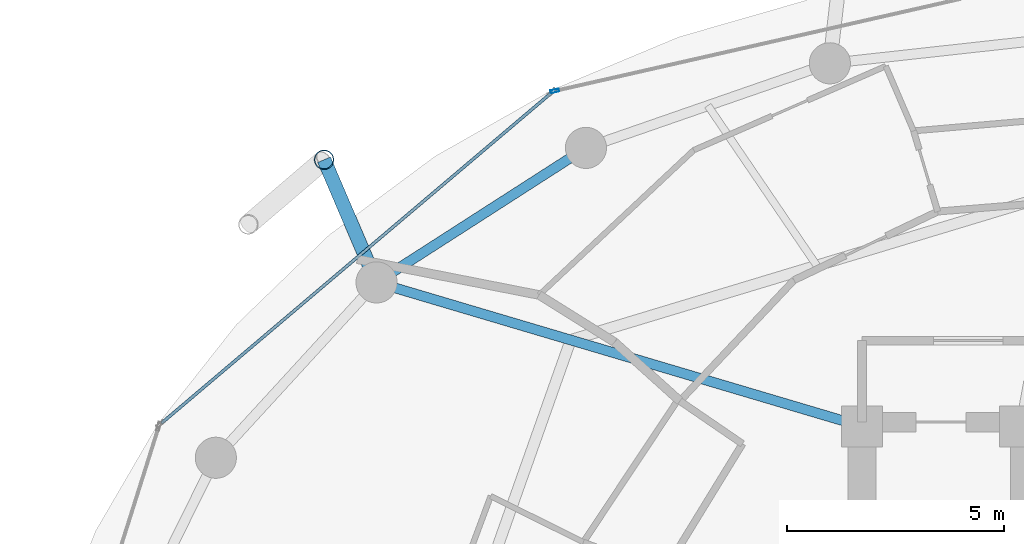
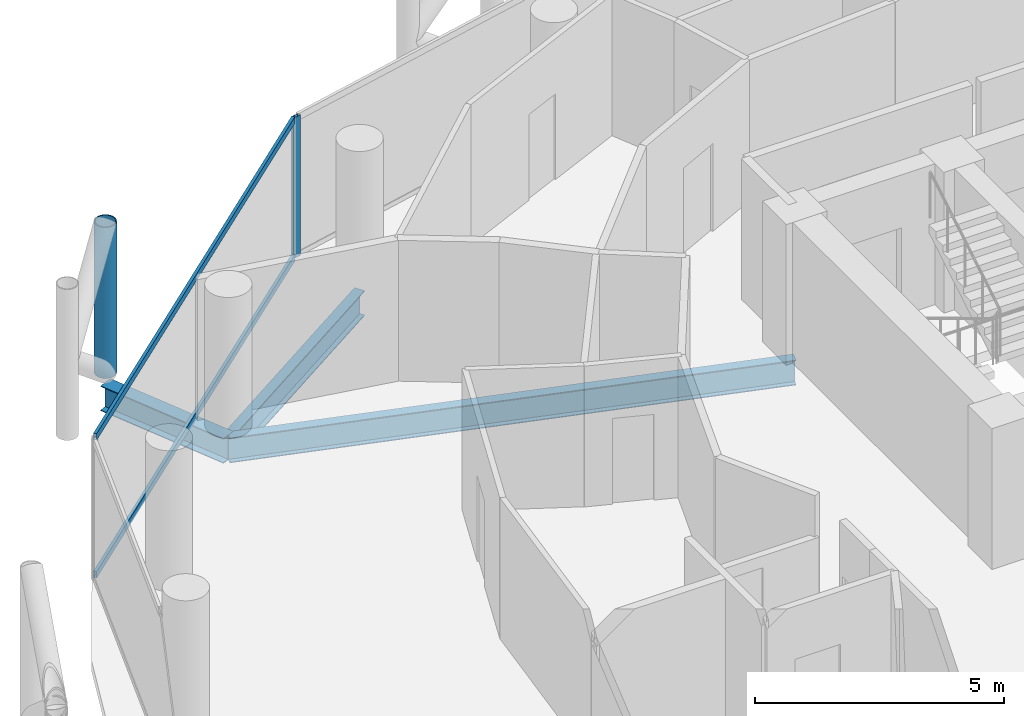
# One storey, part 14 of 26: 4 members, 3 beams, 2 elements without a shape of their own.
"""IFC4 building model written with IfcOpenShell, lengths in metres."""

from ifc_helpers import new_model, si_unit, direction, frame, origin, origin_2d, place, context, subcontext, project, spatial, hollow_rectangle, hollow_circle, i_section, extrude, material, layer, layer_set, material_profile, profile_set, type_object, element, aggregate, save


model = new_model("IFC4")

# Units and contexts
model_context = context("Model", 3, precision=1e-05, world=origin(), true_north=direction((0.0, 1.0)))
body_context = subcontext(model_context, "Body", "Model", "MODEL_VIEW")
ifc_project = project(units=[si_unit("LENGTHUNIT", "METRE"), si_unit("AREAUNIT", "SQUARE_METRE"), si_unit("VOLUMEUNIT", "CUBIC_METRE"), si_unit("PLANEANGLEUNIT", "RADIAN"), si_unit("MASSUNIT", "GRAM", prefix="KILO")], contexts=[model_context])

# Site, building, storey
site_placement = place(None, origin())
site = spatial("IfcSite", under=ifc_project, at=site_placement, CompositionType="ELEMENT")
building_placement = place(site_placement, origin())
building = spatial("IfcBuilding", under=site, at=building_placement, Name="Nuhasar Tower", CompositionType="ELEMENT")
storey_placement = place(building_placement, frame((0.0, 0.0, 136.75)))
storey = spatial("IfcBuildingStorey", under=building, at=storey_placement, Name="L32", CompositionType="ELEMENT", Elevation=136.75)

# Beams
ifc_material_1 = material(Name="Steel S355", Category="steel")
ifc_material_profile_1 = material_profile(ifc_material_1, i_section(OverallWidth=0.22900390625, OverallDepth=0.612060546875, WebThickness=0.011962890625, FlangeThickness=0.01953125, at=origin_2d()), Name="W24X84")
ifc_profile_set_1 = profile_set([ifc_material_profile_1], Name="Steel S355")
beam_type_1 = type_object("IfcBeamType", Name="BM-RAD-W24X84", PredefinedType="BEAM", material=ifc_profile_set_1)
beam_1_placement = place(storey_placement, frame((33.699951171875, 37.300048828125, -0.555908203125), z_axis=(-0.958746492721, 0.284262489076, 0.0), x_axis=(-0.284262489076, -0.958746492721, 0.0)))
element("IfcBeam", 1, at=beam_1_placement, inside=storey, type_object=beam_type_1, Name="L32 Radial Floor Girder 07", PredefinedType="BEAM", context=body_context, shape_type="SweptSolid", body=[
    extrude(i_section(OverallWidth=0.22900390625, OverallDepth=0.612060546875, WebThickness=0.011962890625, FlangeThickness=0.01953125, at=origin_2d()), origin(), (0.0, 0.0, 1.0), 11.693359375),
])
ifc_material_profile_2 = material_profile(ifc_material_1, i_section(OverallWidth=0.22998046875, OverallDepth=0.616943359375, WebThickness=0.01318359375, FlangeThickness=0.022216796875, at=origin_2d()), Name="W24X94")
ifc_profile_set_2 = profile_set([ifc_material_profile_2], Name="Steel S355")
beam_type_2 = type_object("IfcBeamType", Name="BM-RING-W24X94", PredefinedType="SPANDREL", material=ifc_profile_set_2)
beam_2_placement = place(storey_placement, frame((27.324951171875, 43.73095703125, -0.55908203125), z_axis=(-0.841327486207, -0.540525726448, 0.0), x_axis=(0.540525726448, -0.841327486207, 0.0)))
element("IfcBeam", 2, at=beam_2_placement, inside=storey, type_object=beam_type_2, Name="L32 Perimeter Ring Spandrel 09", PredefinedType="SPANDREL", context=body_context, shape_type="SweptSolid", body=[
    extrude(i_section(OverallWidth=0.22998046875, OverallDepth=0.616943359375, WebThickness=0.01318359375, FlangeThickness=0.022216796875, at=origin_2d()), origin(), (0.0, 0.0, 1.0), 5.748046875),
])
ifc_material_profile_3 = material_profile(ifc_material_1, i_section(OverallWidth=0.323974609375, OverallDepth=0.611083984375, WebThickness=0.0126953125, FlangeThickness=0.01904296875, at=origin_2d()), Name="W24X104")
ifc_profile_set_3 = profile_set([ifc_material_profile_3], Name="Steel S355")
beam_type_3 = type_object("IfcBeamType", Name="BM-TIE-W24X104", PredefinedType="BEAM", material=ifc_profile_set_3)
beam_3_placement = place(storey_placement, frame((22.489013671875, 40.6240234375, -0.554931640625), z_axis=(-0.39330721304, 0.919407111225, 0.0), x_axis=(-0.919407111225, -0.39330721304, 0.0)))
element("IfcBeam", 3, at=beam_3_placement, inside=storey, type_object=beam_type_3, Name="L32 Exoskeleton Node Tie Beam 05", PredefinedType="BEAM", context=body_context, shape_type="SweptSolid", body=[
    extrude(i_section(OverallWidth=0.323974609375, OverallDepth=0.611083984375, WebThickness=0.0126953125, FlangeThickness=0.01904296875, at=origin_2d()), origin(), (0.0, 0.0, 1.0), 3.081298828125),
])

# Curtain wall, member
ifc_material_2 = material(Name="Aluminium 6063-T6", Category="aluminium")
ifc_layer = layer(ifc_material_2, 0.199951171875)
ifc_layer_set = layer_set([ifc_layer], Name="Aluminium 6063-T6")
curtain_wall_type = type_object("IfcCurtainWallType", Name="CW-Z2-HTL", PredefinedType="NOTDEFINED", material=ifc_layer_set)
curtain_wall_1_placement = place(storey_placement, origin())
curtain_wall_1 = element("IfcCurtainWall", 4, at=curtain_wall_1_placement, inside=storey, type_object=curtain_wall_type, Name="L32 Unitised Curtain Wall 04", PredefinedType="NOTDEFINED")
ifc_material_profile_4 = material_profile(ifc_material_2, hollow_rectangle(XDim=0.070068359375, YDim=0.199951171875, WallThickness=0.0048828125, at=origin_2d()), Name="CWM-3")
ifc_profile_set_4 = profile_set([ifc_material_profile_4], Name="Aluminium 6063-T6")
member_type_1 = type_object("IfcMemberType", Name="CW-MUL-S3", PredefinedType="MULLION", material=ifc_profile_set_4)
member_1_placement = place(storey_placement, frame((26.604248046875, 45.045654296875, 0.0), z_axis=(0.0, 0.0, 1.0), x_axis=(0.22139729566, -0.975183694221, 0.0)))
member_1 = element("IfcMember", 5, at=member_1_placement, type_object=member_type_1, Name="CW-Z2 mullion 2", PredefinedType="MULLION", context=body_context, shape_type="SweptSolid", body=[
    extrude(hollow_rectangle(XDim=0.070068359375, YDim=0.199951171875, WallThickness=0.0048828125, at=origin_2d()), origin(), (0.0, 0.0, 1.0), 3.449951171875),
])
aggregate(curtain_wall_1, [member_1])

# Curtain wall, members
curtain_wall_2_placement = place(storey_placement, origin())
curtain_wall_2 = element("IfcCurtainWall", 6, at=curtain_wall_2_placement, inside=storey, type_object=curtain_wall_type, Name="L32 Unitised Curtain Wall 05", PredefinedType="NOTDEFINED")
ifc_material_profile_5 = material_profile(ifc_material_2, hollow_rectangle(XDim=0.070068359375, YDim=0.159912109375, WallThickness=0.00439453125, at=origin_2d()), Name="CWT-3")
ifc_profile_set_5 = profile_set([ifc_material_profile_5], Name="Aluminium 6063-T6")
member_type_2 = type_object("IfcMemberType", Name="CW-TRN-S3", PredefinedType="USERDEFINED", material=ifc_profile_set_5)
member_2_placement = place(storey_placement, frame((26.5166015625, 44.99267578125, 0.034912109375), z_axis=(-0.763023915269, -0.646370253592, 0.0), x_axis=(0.646370253592, -0.763023915269, 0.0)))
member_2 = element("IfcMember", 7, at=member_2_placement, type_object=member_type_2, Name="CW-Z2 transom 1.1", ObjectType="TRANSOM", PredefinedType="USERDEFINED", context=body_context, shape_type="SweptSolid", body=[
    extrude(hollow_rectangle(XDim=0.070068359375, YDim=0.159912109375, WallThickness=0.00439453125, at=origin_2d()), origin(), (0.0, 0.0, 1.0), 11.784912109375),
])
member_3_placement = place(storey_placement, frame((26.5166015625, 44.99267578125, 3.4150390625), z_axis=(-0.763023915269, -0.646370253592, 0.0), x_axis=(0.646370253592, -0.763023915269, 0.0)))
member_3 = element("IfcMember", 8, at=member_3_placement, type_object=member_type_2, Name="CW-Z2 transom 1.2", ObjectType="TRANSOM", PredefinedType="USERDEFINED", context=body_context, shape_type="SweptSolid", body=[
    extrude(hollow_rectangle(XDim=0.070068359375, YDim=0.159912109375, WallThickness=0.00439453125, at=origin_2d()), origin(), (0.0, 0.0, 1.0), 11.784912109375),
])
aggregate(curtain_wall_2, [member_2, member_3])

# Member
ifc_material_3 = material(Name="Steel S460", Category="steel")
ifc_material_profile_6 = material_profile(ifc_material_3, hollow_circle(Radius=0.228515625, WallThickness=0.022216796875, at=origin_2d()), Name="HSS457X22.2")
ifc_profile_set_6 = profile_set([ifc_material_profile_6], Name="Steel S460")
member_type_3 = type_object("IfcMemberType", Name="EXO-BRONZE-457", PredefinedType="BRACE", material=ifc_profile_set_6)
member_4_placement = place(storey_placement, frame((21.277099609375, 43.45703125, 0.0), z_axis=(0.0, 0.0, 1.0), x_axis=(1.0, 0.0, 0.0)))
element("IfcMember", 9, at=member_4_placement, inside=storey, type_object=member_type_3, Name="L32 Exoskeleton Chord Column EC-05A", PredefinedType="BRACE", context=body_context, shape_type="SweptSolid", body=[
    extrude(hollow_circle(Radius=0.228515625, WallThickness=0.022216796875, at=origin_2d()), origin(), (0.0, 0.0, 1.0), 3.699951171875),
])

save(model, "model.ifc")
